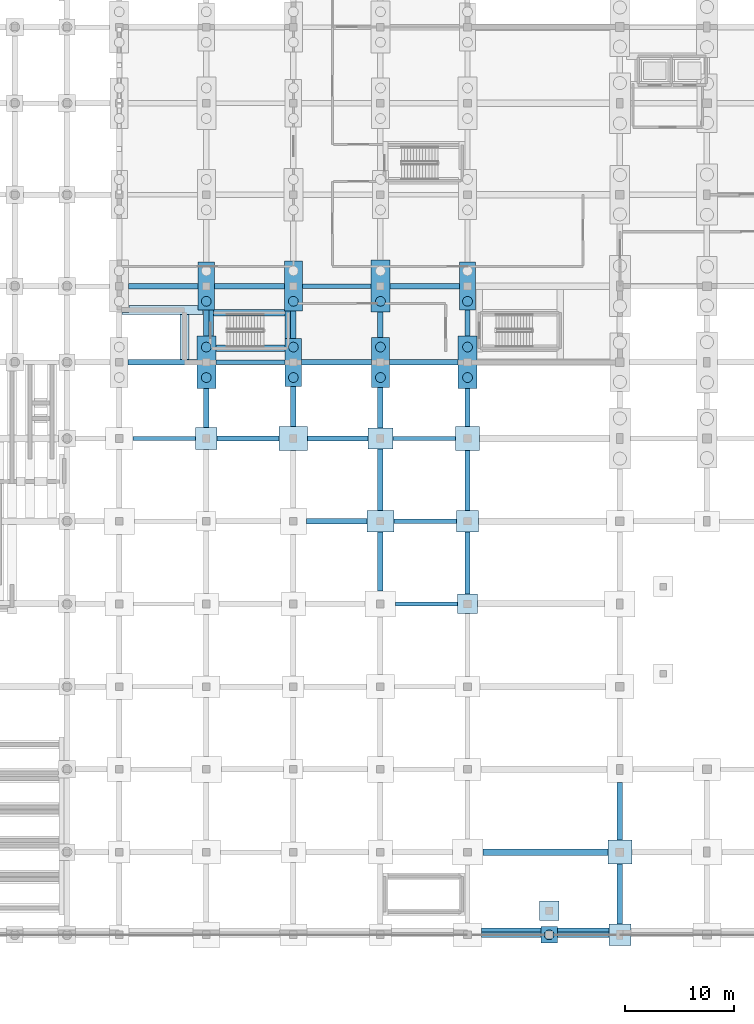
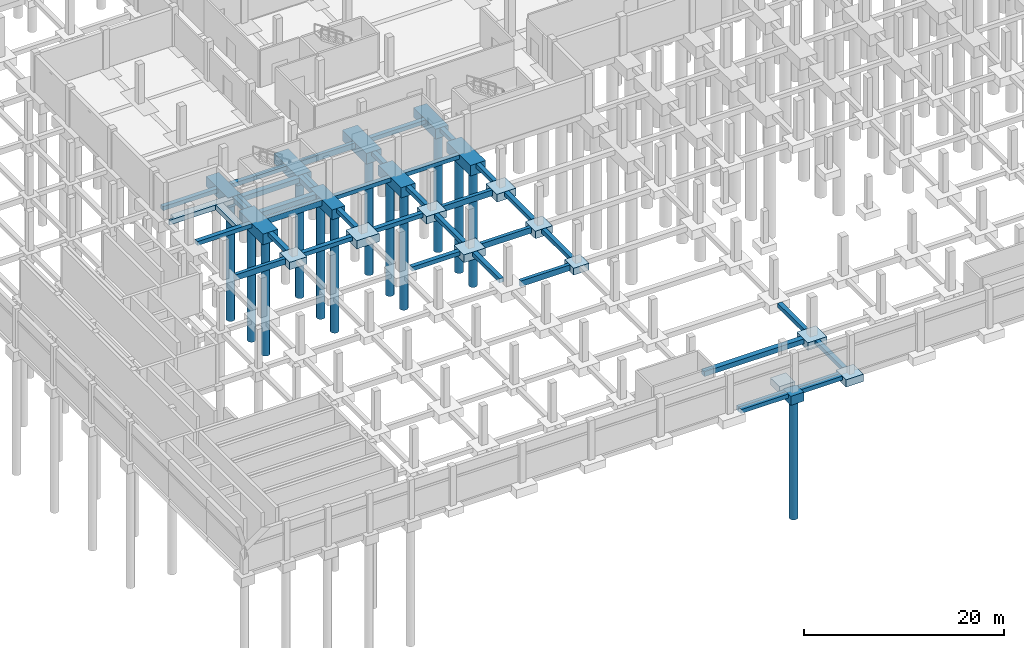
# One storey, part 5 of 50: 59 footings, 13 piles.
"""IFC4 building model written with IfcOpenShell, lengths in metres."""

from ifc_helpers import new_model, si_unit, direction, frame, origin, origin_2d, place, context, subcontext, project, spatial, polyline, rectangle, circle, outline, extrude, material, material_profile, profile_set, type_object, element, save


model = new_model("IFC4")

# Units and contexts
model_context = context("Model", 3, precision=1e-05, world=origin(), true_north=direction((0.0, 1.0)))
body_context = subcontext(model_context, "Body", "Model", "MODEL_VIEW")
ifc_project = project(units=[si_unit("LENGTHUNIT", "METRE"), si_unit("AREAUNIT", "SQUARE_METRE"), si_unit("VOLUMEUNIT", "CUBIC_METRE"), si_unit("PLANEANGLEUNIT", "RADIAN"), si_unit("MASSUNIT", "GRAM", prefix="KILO")], contexts=[model_context])

# Site, building, storey
site_placement = place(None, origin())
site = spatial("IfcSite", under=ifc_project, at=site_placement, CompositionType="ELEMENT")
building_placement = place(site_placement, origin())
building = spatial("IfcBuilding", under=site, at=building_placement, Name="Vekula Escarpment Museum", CompositionType="ELEMENT")
storey_placement = place(building_placement, frame((0.0, 0.0, -4.800048828125)))
storey = spatial("IfcBuildingStorey", under=building, at=storey_placement, Name="B1", CompositionType="ELEMENT", Elevation=-4.800048828125)

# Footings
ifc_material_1 = material(Name="Concrete C35/45", Category="concrete")
footing_type_1 = type_object("IfcFootingType", Name="FB-STRIP-600", PredefinedType="STRIP_FOOTING", material=ifc_material_1)
footing_1_placement = place(storey_placement, frame((0.0, 0.0, -0.599853515625)))
element("IfcFooting", 1, at=footing_1_placement, inside=storey, type_object=footing_type_1, Name="Plinth Wall Strip Footing 0057", PredefinedType="STRIP_FOOTING", context=body_context, shape_type="SweptSolid", body=[
    extrude(outline(polyline([(31.68603515625, 56.97998046875), (24.25390625, 56.97998046875), (24.25390625, 57.196044921875), (24.87890625, 57.196044921875), (24.87890625, 57.820068359375), (31.24609375, 57.820068359375), (31.24609375, 57.39599609375), (31.68603515625, 57.39599609375), (31.68603515625, 56.97998046875)])), origin(), (0.0, 0.0, 1.0), 0.599853515625),
])
footing_2_placement = place(storey_placement, frame((0.0, 0.0, -0.599853515625)))
element("IfcFooting", 2, at=footing_2_placement, inside=storey, type_object=footing_type_1, Name="Plinth Wall Strip Footing 0058", PredefinedType="STRIP_FOOTING", context=body_context, shape_type="SweptSolid", body=[
    extrude(outline(polyline([(30.419921875, 52.85400390625), (29.580078125, 52.85400390625), (29.580078125, 56.97607421875), (30.419921875, 56.97607421875), (30.419921875, 52.85400390625)])), origin(), (0.0, 0.0, 1.0), 0.599853515625),
])
footing_3_placement = place(storey_placement, frame((0.0, 0.0, -0.599853515625)))
element("IfcFooting", 3, at=footing_3_placement, inside=storey, type_object=footing_type_1, Name="Plinth Wall Strip Footing 0068", PredefinedType="STRIP_FOOTING", context=body_context, shape_type="SweptSolid", body=[
    extrude(outline(polyline([(68.99609375, 0.64501953125), (68.99609375, 0.25390625), (64.25390625, 0.25390625), (64.25390625, 0.64501953125), (68.99609375, 0.64501953125)])), origin(), (0.0, 0.0, 1.0), 0.599853515625),
])
footing_4_placement = place(storey_placement, frame((0.0, 0.0, -0.599853515625)))
element("IfcFooting", 4, at=footing_4_placement, inside=storey, type_object=footing_type_1, Name="Plinth Wall Strip Footing 0068", PredefinedType="STRIP_FOOTING", context=body_context, shape_type="SweptSolid", body=[
    extrude(outline(polyline([(62.74609375, 0.64501953125), (62.74609375, 0.25390625), (57.303955078125, 0.25390625), (57.303955078125, 0.64501953125), (62.74609375, 0.64501953125)])), origin(), (0.0, 0.0, 1.0), 0.599853515625),
])
footing_5_placement = place(storey_placement, frame((0.0, 0.0, -0.599853515625)))
element("IfcFooting", 5, at=footing_5_placement, inside=storey, type_object=footing_type_1, Name="Stair Core Strip Footing ST-04 W", PredefinedType="STRIP_FOOTING", context=body_context, shape_type="SweptSolid", body=[
    extrude(outline(polyline([(32.675048828125, 55.00390625), (32.25390625, 55.00390625), (32.25390625, 57.39599609375), (32.675048828125, 57.39599609375), (32.675048828125, 55.00390625)])), origin(), (0.0, 0.0, 1.0), 0.599853515625),
])
footing_6_placement = place(storey_placement, frame((0.0, 0.0, -0.599853515625)))
element("IfcFooting", 6, at=footing_6_placement, inside=storey, type_object=footing_type_1, Name="Stair Core Strip Footing ST-04 E", PredefinedType="STRIP_FOOTING", context=body_context, shape_type="SweptSolid", body=[
    extrude(outline(polyline([(39.22509765625, 53.554931640625), (39.22509765625, 57.2958984375), (39.74609375, 57.2958984375), (39.74609375, 54.803955078125), (39.24609375, 54.803955078125), (39.24609375, 53.554931640625), (39.22509765625, 53.554931640625)])), origin(), (0.0, 0.0, 1.0), 0.599853515625),
])
footing_7_placement = place(storey_placement, frame((0.0, 0.0, -0.599853515625)))
element("IfcFooting", 7, at=footing_7_placement, inside=storey, type_object=footing_type_1, Name="Stair Core Strip Footing ST-04 S", PredefinedType="STRIP_FOOTING", context=body_context, shape_type="SweptSolid", body=[
    extrude(outline(polyline([(32.87890625, 53.574951171875), (32.87890625, 54.175048828125), (39.220947265625, 54.175048828125), (39.220947265625, 53.574951171875), (32.87890625, 53.574951171875)])), origin(), (0.0, 0.0, 1.0), 0.599853515625),
])
footing_8_placement = place(storey_placement, frame((0.0, 0.0, -0.599853515625)))
element("IfcFooting", 8, at=footing_8_placement, inside=storey, type_object=footing_type_1, Name="Stair Core Strip Footing ST-04 N", PredefinedType="STRIP_FOOTING", context=body_context, shape_type="SweptSolid", body=[
    extrude(outline(polyline([(32.678955078125, 56.864990234375), (32.678955078125, 57.39599609375), (32.75390625, 57.39599609375), (32.75390625, 57.465087890625), (39.1708984375, 57.465087890625), (39.1708984375, 57.2958984375), (39.220947265625, 57.2958984375), (39.220947265625, 56.864990234375), (32.678955078125, 56.864990234375)])), origin(), (0.0, 0.0, 1.0), 0.599853515625),
])
ifc_material_2 = material(Name="Concrete C35/45", Category="concrete")
ifc_material_profile_1 = material_profile(ifc_material_2, rectangle(XDim=0.39990234375, YDim=0.699951171875, at=origin_2d()), Name="RC 400x700")
ifc_profile_set_1 = profile_set([ifc_material_profile_1], Name="Concrete C35/45")
footing_type_2 = type_object("IfcFootingType", Name="FB-TIE-400x700", PredefinedType="FOOTING_BEAM", material=ifc_profile_set_1)
footing_9_placement = place(storey_placement, frame((49.39990234375, 30.39990234375, -0.349853515625), z_axis=(1.0, 0.0, 0.0), x_axis=(0.0, 1.0, 0.0)))
element("IfcFooting", 9, at=footing_9_placement, inside=storey, type_object=footing_type_2, Name="Foundation Tie Beam 087", PredefinedType="FOOTING_BEAM", context=body_context, shape_type="SweptSolid", body=[
    extrude(rectangle(XDim=0.39990234375, YDim=0.699951171875, at=origin_2d()), origin(), (0.0, 0.0, 1.0), 5.7001953125),
])
for number, where, z_axis, x_axis, name in (
    (10, (49.25, 38.0, -0.349853515625), (1.0, 0.0, 0.0), (0.0, 1.0, 0.0), "Foundation Tie Beam 105"),
    (11, (25.25, 45.60009765625, -0.349853515625), (1.0, 0.0, 0.0), (0.0, 1.0, 0.0), "Foundation Tie Beam 123"),
    (12, (49.14990234375, 45.60009765625, -0.349853515625), (1.0, 0.0, 0.0), (0.0, 1.0, 0.0), "Foundation Tie Beam 126"),
):
    element("IfcFooting", number, at=place(storey_placement, frame(where, z_axis=z_axis, x_axis=x_axis)), inside=storey, type_object=footing_type_2, Name=name, PredefinedType="FOOTING_BEAM", context=body_context, shape_type="SweptSolid", body=[
        extrude(rectangle(XDim=0.39990234375, YDim=0.699951171875, at=origin_2d()), origin(), (0.0, 0.0, 1.0), 5.75),
    ])
footing_10_placement = place(storey_placement, frame((32.875, 52.60009765625, -0.349853515625), z_axis=(1.0, 0.0, 0.0), x_axis=(0.0, 1.0, 0.0)))
element("IfcFooting", 13, at=footing_10_placement, inside=storey, type_object=footing_type_2, Name="Foundation Tie Beam 147", PredefinedType="FOOTING_BEAM", context=body_context, shape_type="SweptSolid", body=[
    extrude(rectangle(XDim=0.39990234375, YDim=0.699951171875, at=origin_2d()), origin(), (0.0, 0.0, 1.0), 6.375),
])
footing_11_placement = place(storey_placement, frame((40.824951171875, 59.60009765625, -0.349853515625), z_axis=(1.0, 0.0, 0.0), x_axis=(0.0, 1.0, 0.0)))
element("IfcFooting", 14, at=footing_11_placement, inside=storey, type_object=footing_type_2, Name="Foundation Tie Beam 171", PredefinedType="FOOTING_BEAM", context=body_context, shape_type="SweptSolid", body=[
    extrude(rectangle(XDim=0.39990234375, YDim=0.699951171875, at=origin_2d()), origin(), (0.0, 0.0, 1.0), 6.300048828125),
])
ifc_material_3 = material(Name="Concrete C35/45", Category="concrete")
ifc_material_profile_2 = material_profile(ifc_material_3, rectangle(XDim=0.5, YDim=0.5, at=origin_2d()), Name="RC 500x500")
ifc_profile_set_2 = profile_set([ifc_material_profile_2], Name="Concrete C35/45")
footing_type_3 = type_object("IfcFootingType", Name="FB-TIE-500x500", PredefinedType="FOOTING_BEAM", material=ifc_profile_set_2)
footing_12_placement = place(storey_placement, frame((57.300048828125, 0.0, -0.25), z_axis=(1.0, 0.0, 0.0), x_axis=(0.0, 1.0, 0.0)))
element("IfcFooting", 15, at=footing_12_placement, inside=storey, type_object=footing_type_3, Name="Foundation Tie Beam 010", PredefinedType="FOOTING_BEAM", context=body_context, shape_type="SweptSolid", body=[
    extrude(rectangle(XDim=0.5, YDim=0.5, at=origin_2d()), origin(), (0.0, 0.0, 1.0), 5.449951171875),
])
footing_13_placement = place(storey_placement, frame((64.25, 0.0, -0.25), z_axis=(1.0, 0.0, 0.0), x_axis=(0.0, 1.0, 0.0)))
element("IfcFooting", 16, at=footing_13_placement, inside=storey, type_object=footing_type_3, Name="Foundation Tie Beam 011", PredefinedType="FOOTING_BEAM", context=body_context, shape_type="SweptSolid", body=[
    extrude(rectangle(XDim=0.5, YDim=0.5, at=origin_2d()), origin(), (0.0, 0.0, 1.0), 4.75),
])
footing_14_placement = place(storey_placement, frame((41.199951171875, 38.0, -0.25), z_axis=(1.0, 0.0, 0.0), x_axis=(0.0, 1.0, 0.0)))
element("IfcFooting", 17, at=footing_14_placement, inside=storey, type_object=footing_type_3, Name="Foundation Tie Beam 104", PredefinedType="FOOTING_BEAM", context=body_context, shape_type="SweptSolid", body=[
    extrude(rectangle(XDim=0.5, YDim=0.5, at=origin_2d()), origin(), (0.0, 0.0, 1.0), 5.550048828125),
])
footing_15_placement = place(storey_placement, frame((33.0, 45.60009765625, -0.25), z_axis=(1.0, 0.0, 0.0), x_axis=(0.0, 1.0, 0.0)))
element("IfcFooting", 18, at=footing_15_placement, inside=storey, type_object=footing_type_3, Name="Foundation Tie Beam 124", PredefinedType="FOOTING_BEAM", context=body_context, shape_type="SweptSolid", body=[
    extrude(rectangle(XDim=0.5, YDim=0.5, at=origin_2d()), origin(), (0.0, 0.0, 1.0), 5.699951171875),
])
footing_16_placement = place(storey_placement, frame((41.300048828125, 45.60009765625, -0.25), z_axis=(1.0, 0.0, 0.0), x_axis=(0.0, 1.0, 0.0)))
element("IfcFooting", 19, at=footing_16_placement, inside=storey, type_object=footing_type_3, Name="Foundation Tie Beam 125", PredefinedType="FOOTING_BEAM", context=body_context, shape_type="SweptSolid", body=[
    extrude(rectangle(XDim=0.5, YDim=0.5, at=origin_2d()), origin(), (0.0, 0.0, 1.0), 5.550048828125),
])
footing_17_placement = place(storey_placement, frame((24.824951171875, 52.60009765625, -0.25), z_axis=(1.0, 0.0, 0.0), x_axis=(0.0, 1.0, 0.0)))
element("IfcFooting", 20, at=footing_17_placement, inside=storey, type_object=footing_type_3, Name="Foundation Tie Beam 146", PredefinedType="FOOTING_BEAM", context=body_context, shape_type="SweptSolid", body=[
    extrude(rectangle(XDim=0.5, YDim=0.5, at=origin_2d()), origin(), (0.0, 0.0, 1.0), 6.300048828125),
])
footing_18_placement = place(storey_placement, frame((40.75, 52.60009765625, -0.25), z_axis=(1.0, 0.0, 0.0), x_axis=(0.0, 1.0, 0.0)))
element("IfcFooting", 21, at=footing_18_placement, inside=storey, type_object=footing_type_3, Name="Foundation Tie Beam 148", PredefinedType="FOOTING_BEAM", context=body_context, shape_type="SweptSolid", body=[
    extrude(rectangle(XDim=0.5, YDim=0.5, at=origin_2d()), origin(), (0.0, 0.0, 1.0), 6.425048828125),
])
footing_19_placement = place(storey_placement, frame((48.824951171875, 52.60009765625, -0.25), z_axis=(1.0, 0.0, 0.0), x_axis=(0.0, 1.0, 0.0)))
element("IfcFooting", 22, at=footing_19_placement, inside=storey, type_object=footing_type_3, Name="Foundation Tie Beam 149", PredefinedType="FOOTING_BEAM", context=body_context, shape_type="SweptSolid", body=[
    extrude(rectangle(XDim=0.5, YDim=0.5, at=origin_2d()), origin(), (0.0, 0.0, 1.0), 6.300048828125),
])
footing_20_placement = place(storey_placement, frame((24.875, 59.60009765625, -0.25), z_axis=(1.0, 0.0, 0.0), x_axis=(0.0, 1.0, 0.0)))
element("IfcFooting", 23, at=footing_20_placement, inside=storey, type_object=footing_type_3, Name="Foundation Tie Beam 169", PredefinedType="FOOTING_BEAM", context=body_context, shape_type="SweptSolid", body=[
    extrude(rectangle(XDim=0.5, YDim=0.5, at=origin_2d()), origin(), (0.0, 0.0, 1.0), 6.375),
])
footing_21_placement = place(storey_placement, frame((32.75, 59.60009765625, -0.25), z_axis=(1.0, 0.0, 0.0), x_axis=(0.0, 1.0, 0.0)))
element("IfcFooting", 24, at=footing_21_placement, inside=storey, type_object=footing_type_3, Name="Foundation Tie Beam 170", PredefinedType="FOOTING_BEAM", context=body_context, shape_type="SweptSolid", body=[
    extrude(rectangle(XDim=0.5, YDim=0.5, at=origin_2d()), origin(), (0.0, 0.0, 1.0), 6.425048828125),
])
footing_22_placement = place(storey_placement, frame((48.875, 59.60009765625, -0.25), z_axis=(1.0, 0.0, 0.0), x_axis=(0.0, 1.0, 0.0)))
element("IfcFooting", 25, at=footing_22_placement, inside=storey, type_object=footing_type_3, Name="Foundation Tie Beam 172", PredefinedType="FOOTING_BEAM", context=body_context, shape_type="SweptSolid", body=[
    extrude(rectangle(XDim=0.5, YDim=0.5, at=origin_2d()), origin(), (0.0, 0.0, 1.0), 6.375),
])
footing_23_placement = place(storey_placement, frame((32.0, 46.60009765625, -0.25), z_axis=(0.0, 1.0, 0.0), x_axis=(-1.0, 0.0, 0.0)))
element("IfcFooting", 26, at=footing_23_placement, inside=storey, type_object=footing_type_3, Name="Foundation Tie Beam 484", PredefinedType="FOOTING_BEAM", context=body_context, shape_type="SweptSolid", body=[
    extrude(rectangle(XDim=0.5, YDim=0.5, at=origin_2d()), origin(), (0.0, 0.0, 1.0), 3.599853515625),
])
footing_24_placement = place(storey_placement, frame((32.0, 55.0, -0.25), z_axis=(0.0, 1.0, 0.0), x_axis=(-1.0, 0.0, 0.0)))
element("IfcFooting", 27, at=footing_24_placement, inside=storey, type_object=footing_type_3, Name="Foundation Tie Beam 485", PredefinedType="FOOTING_BEAM", context=body_context, shape_type="SweptSolid", body=[
    extrude(rectangle(XDim=0.5, YDim=0.5, at=origin_2d()), origin(), (0.0, 0.0, 1.0), 2.39990234375),
])
footing_25_placement = place(storey_placement, frame((40.0, 46.699951171875, -0.25), z_axis=(0.0, 1.0, 0.0), x_axis=(-1.0, 0.0, 0.0)))
element("IfcFooting", 28, at=footing_25_placement, inside=storey, type_object=footing_type_3, Name="Foundation Tie Beam 502", PredefinedType="FOOTING_BEAM", context=body_context, shape_type="SweptSolid", body=[
    extrude(rectangle(XDim=0.5, YDim=0.5, at=origin_2d()), origin(), (0.0, 0.0, 1.0), 3.699951171875),
])
footing_26_placement = place(storey_placement, frame((40.0, 54.800048828125, -0.25), z_axis=(0.0, 1.0, 0.0), x_axis=(-1.0, 0.0, 0.0)))
element("IfcFooting", 29, at=footing_26_placement, inside=storey, type_object=footing_type_3, Name="Foundation Tie Beam 503", PredefinedType="FOOTING_BEAM", context=body_context, shape_type="SweptSolid", body=[
    extrude(rectangle(XDim=0.5, YDim=0.5, at=origin_2d()), origin(), (0.0, 0.0, 1.0), 2.5),
])
footing_27_placement = place(storey_placement, frame((48.0, 31.60009765625, -0.25), z_axis=(0.0, 1.0, 0.0), x_axis=(-1.0, 0.0, 0.0)))
element("IfcFooting", 30, at=footing_27_placement, inside=storey, type_object=footing_type_3, Name="Foundation Tie Beam 518", PredefinedType="FOOTING_BEAM", context=body_context, shape_type="SweptSolid", body=[
    extrude(rectangle(XDim=0.5, YDim=0.5, at=origin_2d()), origin(), (0.0, 0.0, 1.0), 5.39990234375),
])
footing_28_placement = place(storey_placement, frame((48.0, 39.0, -0.25), z_axis=(0.0, 1.0, 0.0), x_axis=(-1.0, 0.0, 0.0)))
element("IfcFooting", 31, at=footing_28_placement, inside=storey, type_object=footing_type_3, Name="Foundation Tie Beam 519", PredefinedType="FOOTING_BEAM", context=body_context, shape_type="SweptSolid", body=[
    extrude(rectangle(XDim=0.5, YDim=0.5, at=origin_2d()), origin(), (0.0, 0.0, 1.0), 5.64990234375),
])
footing_29_placement = place(storey_placement, frame((48.0, 46.550048828125, -0.25), z_axis=(0.0, 1.0, 0.0), x_axis=(-1.0, 0.0, 0.0)))
element("IfcFooting", 32, at=footing_29_placement, inside=storey, type_object=footing_type_3, Name="Foundation Tie Beam 520", PredefinedType="FOOTING_BEAM", context=body_context, shape_type="SweptSolid", body=[
    extrude(rectangle(XDim=0.5, YDim=0.5, at=origin_2d()), origin(), (0.0, 0.0, 1.0), 3.75),
])
footing_30_placement = place(storey_placement, frame((48.0, 54.89990234375, -0.25), z_axis=(0.0, 1.0, 0.0), x_axis=(-1.0, 0.0, 0.0)))
element("IfcFooting", 33, at=footing_30_placement, inside=storey, type_object=footing_type_3, Name="Foundation Tie Beam 521", PredefinedType="FOOTING_BEAM", context=body_context, shape_type="SweptSolid", body=[
    extrude(rectangle(XDim=0.5, YDim=0.5, at=origin_2d()), origin(), (0.0, 0.0, 1.0), 2.300048828125),
])
footing_31_placement = place(storey_placement, frame((56.0, 31.300048828125, -0.25), z_axis=(0.0, 1.0, 0.0), x_axis=(-1.0, 0.0, 0.0)))
element("IfcFooting", 34, at=footing_31_placement, inside=storey, type_object=footing_type_3, Name="Foundation Tie Beam 536", PredefinedType="FOOTING_BEAM", context=body_context, shape_type="SweptSolid", body=[
    extrude(rectangle(XDim=0.5, YDim=0.5, at=origin_2d()), origin(), (0.0, 0.0, 1.0), 5.699951171875),
])
footing_32_placement = place(storey_placement, frame((56.0, 39.0, -0.25), z_axis=(0.0, 1.0, 0.0), x_axis=(-1.0, 0.0, 0.0)))
element("IfcFooting", 35, at=footing_32_placement, inside=storey, type_object=footing_type_3, Name="Foundation Tie Beam 537", PredefinedType="FOOTING_BEAM", context=body_context, shape_type="SweptSolid", body=[
    extrude(rectangle(XDim=0.5, YDim=0.5, at=origin_2d()), origin(), (0.0, 0.0, 1.0), 5.5),
])
footing_33_placement = place(storey_placement, frame((56.0, 46.699951171875, -0.25), z_axis=(0.0, 1.0, 0.0), x_axis=(-1.0, 0.0, 0.0)))
element("IfcFooting", 36, at=footing_33_placement, inside=storey, type_object=footing_type_3, Name="Foundation Tie Beam 538", PredefinedType="FOOTING_BEAM", context=body_context, shape_type="SweptSolid", body=[
    extrude(rectangle(XDim=0.5, YDim=0.5, at=origin_2d()), origin(), (0.0, 0.0, 1.0), 3.5),
])
footing_34_placement = place(storey_placement, frame((56.0, 55.0, -0.25), z_axis=(0.0, 1.0, 0.0), x_axis=(-1.0, 0.0, 0.0)))
element("IfcFooting", 37, at=footing_34_placement, inside=storey, type_object=footing_type_3, Name="Foundation Tie Beam 539", PredefinedType="FOOTING_BEAM", context=body_context, shape_type="SweptSolid", body=[
    extrude(rectangle(XDim=0.5, YDim=0.5, at=origin_2d()), origin(), (0.0, 0.0, 1.0), 2.39990234375),
])
footing_35_placement = place(storey_placement, frame((70.0, 1.0, -0.25), z_axis=(0.0, 1.0, 0.0), x_axis=(-1.0, 0.0, 0.0)))
element("IfcFooting", 38, at=footing_35_placement, inside=storey, type_object=footing_type_3, Name="Foundation Tie Beam 550", PredefinedType="FOOTING_BEAM", context=body_context, shape_type="SweptSolid", body=[
    extrude(rectangle(XDim=0.5, YDim=0.5, at=origin_2d()), origin(), (0.0, 0.0, 1.0), 5.5),
])
footing_36_placement = place(storey_placement, frame((70.0, 8.699951171875, -0.25), z_axis=(0.0, 1.0, 0.0), x_axis=(-1.0, 0.0, 0.0)))
element("IfcFooting", 39, at=footing_36_placement, inside=storey, type_object=footing_type_3, Name="Foundation Tie Beam 551", PredefinedType="FOOTING_BEAM", context=body_context, shape_type="SweptSolid", body=[
    extrude(rectangle(XDim=0.5, YDim=0.5, at=origin_2d()), origin(), (0.0, 0.0, 1.0), 5.300048828125),
])
ifc_material_4 = material(Name="Concrete C35/45", Category="concrete")
ifc_material_profile_3 = material_profile(ifc_material_4, rectangle(XDim=0.60009765625, YDim=0.60009765625, at=origin_2d()), Name="RC 600x600")
ifc_profile_set_3 = profile_set([ifc_material_profile_3], Name="Concrete C35/45")
footing_type_4 = type_object("IfcFootingType", Name="FB-TIE-600x600", PredefinedType="FOOTING_BEAM", material=ifc_profile_set_3)
footing_37_placement = place(storey_placement, frame((57.39990234375, 7.60009765625, -0.300048828125), z_axis=(1.0, 0.0, 0.0), x_axis=(0.0, 1.0, 0.0)))
element("IfcFooting", 40, at=footing_37_placement, inside=storey, type_object=footing_type_4, Name="Foundation Tie Beam 030", PredefinedType="FOOTING_BEAM", context=body_context, shape_type="SweptSolid", body=[
    extrude(rectangle(XDim=0.60009765625, YDim=0.60009765625, at=origin_2d()), origin(), (0.0, 0.0, 1.0), 11.5),
])
ifc_material_5 = material(Name="Concrete C35/45", Category="concrete")
footing_type_5 = type_object("IfcFootingType", Name="FC-PAD1", PredefinedType="PAD_FOOTING", material=ifc_material_5)
footing_38_placement = place(storey_placement, frame((0.0, 0.0, -0.849853515625)))
element("IfcFooting", 41, at=footing_38_placement, inside=storey, type_object=footing_type_5, Name="Foundation FC-PAD1 (56.0,30.4)", PredefinedType="PAD_FOOTING", context=body_context, shape_type="SweptSolid", body=[
    extrude(outline(polyline([(55.10009765625, 29.5), (56.89990234375, 29.5), (56.89990234375, 31.300048828125), (55.10009765625, 31.300048828125), (55.10009765625, 29.5)])), origin(), (0.0, 0.0, 1.0), 0.849853515625),
])
footing_39_placement = place(storey_placement, frame((0.0, 0.0, -0.849853515625)))
element("IfcFooting", 42, at=footing_39_placement, inside=storey, type_object=footing_type_5, Name="Foundation FC-PAD1 (63.5,2.2)", PredefinedType="PAD_FOOTING", context=body_context, shape_type="SweptSolid", body=[
    extrude(outline(polyline([(62.60009765625, 1.300048828125), (64.39990234375, 1.300048828125), (64.39990234375, 3.10009765625), (62.60009765625, 3.10009765625), (62.60009765625, 1.300048828125)])), origin(), (0.0, 0.0, 1.0), 0.849853515625),
])
ifc_material_6 = material(Name="Concrete C35/45", Category="concrete")
footing_type_6 = type_object("IfcFootingType", Name="FC-PAD2", PredefinedType="PAD_FOOTING", material=ifc_material_6)
footing_40_placement = place(storey_placement, frame((0.0, 0.0, -0.89990234375)))
element("IfcFooting", 43, at=footing_40_placement, inside=storey, type_object=footing_type_6, Name="Foundation FC-PAD2 (32.0,45.6)", PredefinedType="PAD_FOOTING", context=body_context, shape_type="SweptSolid", body=[
    extrude(outline(polyline([(31.0, 44.60009765625), (33.0, 44.60009765625), (33.0, 46.60009765625), (31.0, 46.60009765625), (31.0, 44.60009765625)])), origin(), (0.0, 0.0, 1.0), 0.89990234375),
])
footing_41_placement = place(storey_placement, frame((0.0, 0.0, -0.89990234375)))
element("IfcFooting", 44, at=footing_41_placement, inside=storey, type_object=footing_type_6, Name="Foundation FC-PAD2 (56.0,38.0)", PredefinedType="PAD_FOOTING", context=body_context, shape_type="SweptSolid", body=[
    extrude(outline(polyline([(55.0, 37.0), (57.0, 37.0), (57.0, 39.0), (55.0, 39.0), (55.0, 37.0)])), origin(), (0.0, 0.0, 1.0), 0.89990234375),
])
footing_42_placement = place(storey_placement, frame((0.0, 0.0, -0.89990234375)))
element("IfcFooting", 45, at=footing_42_placement, inside=storey, type_object=footing_type_6, Name="Foundation FC-PAD2 (70.0,0.0)", PredefinedType="PAD_FOOTING", context=body_context, shape_type="SweptSolid", body=[
    extrude(outline(polyline([(69.0, -1.0), (71.0, -1.0), (71.0, 1.0), (69.0, 1.0), (69.0, -1.0)])), origin(), (0.0, 0.0, 1.0), 0.89990234375),
])
ifc_material_7 = material(Name="Concrete C35/45", Category="concrete")
footing_type_7 = type_object("IfcFootingType", Name="FC-PAD3", PredefinedType="PAD_FOOTING", material=ifc_material_7)
footing_43_placement = place(storey_placement, frame((0.0, 0.0, -0.949951171875)))
element("IfcFooting", 46, at=footing_43_placement, inside=storey, type_object=footing_type_7, Name="Foundation FC-PAD3 (56.0,45.6)", PredefinedType="PAD_FOOTING", context=body_context, shape_type="SweptSolid", body=[
    extrude(outline(polyline([(54.89990234375, 44.5), (57.10009765625, 44.5), (57.10009765625, 46.699951171875), (54.89990234375, 46.699951171875), (54.89990234375, 44.5)])), origin(), (0.0, 0.0, 1.0), 0.949951171875),
])
footing_44_placement = place(storey_placement, frame((0.0, 0.0, -0.949951171875)))
element("IfcFooting", 47, at=footing_44_placement, inside=storey, type_object=footing_type_7, Name="Foundation FC-PAD3 (70.0,7.6)", PredefinedType="PAD_FOOTING", context=body_context, shape_type="SweptSolid", body=[
    extrude(outline(polyline([(68.89990234375, 6.5), (71.10009765625, 6.5), (71.10009765625, 8.699951171875), (68.89990234375, 8.699951171875), (68.89990234375, 6.5)])), origin(), (0.0, 0.0, 1.0), 0.949951171875),
])
ifc_material_8 = material(Name="Concrete C35/45", Category="concrete")
footing_type_8 = type_object("IfcFootingType", Name="FC-PAD5", PredefinedType="PAD_FOOTING", material=ifc_material_8)
footing_45_placement = place(storey_placement, frame((0.0, 0.0, -1.0)))
element("IfcFooting", 48, at=footing_45_placement, inside=storey, type_object=footing_type_8, Name="Foundation FC-PAD5 (40.0,45.6)", PredefinedType="PAD_FOOTING", context=body_context, shape_type="SweptSolid", body=[
    extrude(outline(polyline([(38.699951171875, 44.5), (41.300048828125, 44.5), (41.300048828125, 46.699951171875), (38.699951171875, 46.699951171875), (38.699951171875, 44.5)])), origin(), (0.0, 0.0, 1.0), 1.0),
])
ifc_material_9 = material(Name="Concrete C35/45", Category="concrete")
footing_type_9 = type_object("IfcFootingType", Name="FC-PAD7", PredefinedType="PAD_FOOTING", material=ifc_material_9)
footing_46_placement = place(storey_placement, frame((0.0, 0.0, -0.949951171875)))
element("IfcFooting", 49, at=footing_46_placement, inside=storey, type_object=footing_type_9, Name="Foundation FC-PAD7 (48.0,38.0)", PredefinedType="PAD_FOOTING", context=body_context, shape_type="SweptSolid", body=[
    extrude(outline(polyline([(46.75, 37.0), (49.25, 37.0), (49.25, 39.0), (46.75, 39.0), (46.75, 37.0)])), origin(), (0.0, 0.0, 1.0), 0.949951171875),
])
ifc_material_10 = material(Name="Concrete C35/45", Category="concrete")
footing_type_10 = type_object("IfcFootingType", Name="FC-PAD8", PredefinedType="PAD_FOOTING", material=ifc_material_10)
footing_47_placement = place(storey_placement, frame((0.0, 0.0, -0.89990234375)))
element("IfcFooting", 50, at=footing_47_placement, inside=storey, type_object=footing_type_10, Name="Foundation FC-PAD8 (48.0,45.6)", PredefinedType="PAD_FOOTING", context=body_context, shape_type="SweptSolid", body=[
    extrude(outline(polyline([(46.85009765625, 44.64990234375), (49.14990234375, 44.64990234375), (49.14990234375, 46.550048828125), (46.85009765625, 46.550048828125), (46.85009765625, 44.64990234375)])), origin(), (0.0, 0.0, 1.0), 0.89990234375),
])
ifc_material_11 = material(Name="Concrete C35/45", Category="concrete")
footing_type_11 = type_object("IfcFootingType", Name="FC-PC1A", PredefinedType="PILE_CAP", material=ifc_material_11)
footing_48_placement = place(storey_placement, frame((0.0, 0.0, -1.099853515625)))
element("IfcFooting", 51, at=footing_48_placement, inside=storey, type_object=footing_type_11, Name="Foundation FC-PC1A (63.5,0.0)", PredefinedType="PILE_CAP", context=body_context, shape_type="SweptSolid", body=[
    extrude(outline(polyline([(62.75, -0.75), (64.25, -0.75), (64.25, 0.75), (62.75, 0.75), (62.75, -0.75)])), origin(), (0.0, 0.0, 1.0), 1.099853515625),
])
ifc_material_12 = material(Name="Concrete C35/45", Category="concrete")
footing_type_12 = type_object("IfcFootingType", Name="FC-PC2Y-A", PredefinedType="PILE_CAP", material=ifc_material_12)
footing_49_placement = place(storey_placement, frame((0.0, 0.0, -1.199951171875)))
element("IfcFooting", 52, at=footing_49_placement, inside=storey, type_object=footing_type_12, Name="Foundation FC-PC2Y-A (32.0,59.6)", PredefinedType="PILE_CAP", context=body_context, shape_type="SweptSolid", body=[
    extrude(outline(polyline([(31.25, 57.39990234375), (32.75, 57.39990234375), (32.75, 61.800048828125), (31.25, 61.800048828125), (31.25, 57.39990234375)])), origin(), (0.0, 0.0, 1.0), 1.199951171875),
])
footing_50_placement = place(storey_placement, frame((0.0, 0.0, -1.199951171875)))
element("IfcFooting", 53, at=footing_50_placement, inside=storey, type_object=footing_type_12, Name="Foundation FC-PC2Y-A (40.0,52.6)", PredefinedType="PILE_CAP", context=body_context, shape_type="SweptSolid", body=[
    extrude(outline(polyline([(39.25, 50.39990234375), (40.75, 50.39990234375), (40.75, 54.800048828125), (39.25, 54.800048828125), (39.25, 50.39990234375)])), origin(), (0.0, 0.0, 1.0), 1.199951171875),
])
footing_51_placement = place(storey_placement, frame((0.0, 0.0, -1.199951171875)))
element("IfcFooting", 54, at=footing_51_placement, inside=storey, type_object=footing_type_12, Name="Foundation FC-PC2Y-A (56.0,59.6)", PredefinedType="PILE_CAP", context=body_context, shape_type="SweptSolid", body=[
    extrude(outline(polyline([(55.25, 57.39990234375), (56.75, 57.39990234375), (56.75, 61.800048828125), (55.25, 61.800048828125), (55.25, 57.39990234375)])), origin(), (0.0, 0.0, 1.0), 1.199951171875),
])
ifc_material_13 = material(Name="Concrete C35/45", Category="concrete")
footing_type_13 = type_object("IfcFootingType", Name="FC-PC2Y-B", PredefinedType="PILE_CAP", material=ifc_material_13)
footing_52_placement = place(storey_placement, frame((0.0, 0.0, -1.25)))
element("IfcFooting", 55, at=footing_52_placement, inside=storey, type_object=footing_type_13, Name="Foundation FC-PC2Y-B (40.0,59.6)", PredefinedType="PILE_CAP", context=body_context, shape_type="SweptSolid", body=[
    extrude(outline(polyline([(39.175048828125, 57.300048828125), (40.824951171875, 57.300048828125), (40.824951171875, 61.89990234375), (39.175048828125, 61.89990234375), (39.175048828125, 57.300048828125)])), origin(), (0.0, 0.0, 1.0), 1.25),
])
footing_53_placement = place(storey_placement, frame((0.0, 0.0, -1.25)))
element("IfcFooting", 56, at=footing_53_placement, inside=storey, type_object=footing_type_13, Name="Foundation FC-PC2Y-B (48.0,52.6)", PredefinedType="PILE_CAP", context=body_context, shape_type="SweptSolid", body=[
    extrude(outline(polyline([(47.175048828125, 50.300048828125), (48.824951171875, 50.300048828125), (48.824951171875, 54.89990234375), (47.175048828125, 54.89990234375), (47.175048828125, 50.300048828125)])), origin(), (0.0, 0.0, 1.0), 1.25),
])
ifc_material_14 = material(Name="Concrete C35/45", Category="concrete")
footing_type_14 = type_object("IfcFootingType", Name="FC-PC2Y-C", PredefinedType="PILE_CAP", material=ifc_material_14)
footing_54_placement = place(storey_placement, frame((0.0, 0.0, -1.300048828125)))
element("IfcFooting", 57, at=footing_54_placement, inside=storey, type_object=footing_type_14, Name="Foundation FC-PC2Y-C (32.0,52.6)", PredefinedType="PILE_CAP", context=body_context, shape_type="SweptSolid", body=[
    extrude(outline(polyline([(31.125, 50.199951171875), (32.875, 50.199951171875), (32.875, 55.0), (31.125, 55.0), (31.125, 50.199951171875)])), origin(), (0.0, 0.0, 1.0), 1.300048828125),
])
footing_55_placement = place(storey_placement, frame((0.0, 0.0, -1.300048828125)))
element("IfcFooting", 58, at=footing_55_placement, inside=storey, type_object=footing_type_14, Name="Foundation FC-PC2Y-C (48.0,59.6)", PredefinedType="PILE_CAP", context=body_context, shape_type="SweptSolid", body=[
    extrude(outline(polyline([(47.125, 57.199951171875), (48.875, 57.199951171875), (48.875, 62.0), (47.125, 62.0), (47.125, 57.199951171875)])), origin(), (0.0, 0.0, 1.0), 1.300048828125),
])
footing_56_placement = place(storey_placement, frame((0.0, 0.0, -1.300048828125)))
element("IfcFooting", 59, at=footing_56_placement, inside=storey, type_object=footing_type_14, Name="Foundation FC-PC2Y-C (56.0,52.6)", PredefinedType="PILE_CAP", context=body_context, shape_type="SweptSolid", body=[
    extrude(outline(polyline([(55.125, 50.199951171875), (56.875, 50.199951171875), (56.875, 55.0), (55.125, 55.0), (55.125, 50.199951171875)])), origin(), (0.0, 0.0, 1.0), 1.300048828125),
])

# Piles
ifc_material_15 = material(Name="Concrete C35/45", Category="concrete")
ifc_material_profile_4 = material_profile(ifc_material_15, circle(Radius=0.449951171875, at=origin_2d()), Name="BORED PILE 900")
ifc_profile_set_4 = profile_set([ifc_material_profile_4], Name="Concrete C35/45")
pile_type = type_object("IfcPileType", Name="PILE-B900", PredefinedType="BORED", material=ifc_profile_set_4)
for number, where, z_axis, x_axis, name in (
    (60, (32.0, 51.199951171875, -1.199951171875), (0.0, 0.0, -1.0), (1.0, 0.0, 0.0), "Bored Pile (32.0,51.2)"),
    (61, (32.0, 54.0, -1.199951171875), (0.0, 0.0, -1.0), (1.0, 0.0, 0.0), "Bored Pile (32.0,54.0)"),
):
    element("IfcPile", number, at=place(storey_placement, frame(where, z_axis=z_axis, x_axis=x_axis)), inside=storey, type_object=pile_type, Name=name, PredefinedType="BORED", context=body_context, shape_type="SweptSolid", body=[
        extrude(circle(Radius=0.449951171875, at=origin_2d()), origin(), (0.0, 0.0, 1.0), 14.300048828125),
    ])
for number, where, z_axis, x_axis, name in (
    (62, (32.0, 58.199951171875, -1.099853515625), (0.0, 0.0, -1.0), (1.0, 0.0, 0.0), "Bored Pile (32.0,58.2)"),
    (63, (40.0, 51.199951171875, -1.099853515625), (0.0, 0.0, -1.0), (1.0, 0.0, 0.0), "Bored Pile (40.0,51.2)"),
    (64, (40.0, 54.0, -1.099853515625), (0.0, 0.0, -1.0), (1.0, 0.0, 0.0), "Bored Pile (40.0,54.0)"),
):
    element("IfcPile", number, at=place(storey_placement, frame(where, z_axis=z_axis, x_axis=x_axis)), inside=storey, type_object=pile_type, Name=name, PredefinedType="BORED", context=body_context, shape_type="SweptSolid", body=[
        extrude(circle(Radius=0.449951171875, at=origin_2d()), origin(), (0.0, 0.0, 1.0), 14.39990234375),
    ])
for number, where, z_axis, x_axis, name in (
    (65, (40.0, 58.199951171875, -1.14990234375), (0.0, 0.0, -1.0), (1.0, 0.0, 0.0), "Bored Pile (40.0,58.2)"),
    (66, (48.0, 51.199951171875, -1.14990234375), (0.0, 0.0, -1.0), (1.0, 0.0, 0.0), "Bored Pile (48.0,51.2)"),
    (67, (48.0, 54.0, -1.14990234375), (0.0, 0.0, -1.0), (1.0, 0.0, 0.0), "Bored Pile (48.0,54.0)"),
):
    element("IfcPile", number, at=place(storey_placement, frame(where, z_axis=z_axis, x_axis=x_axis)), inside=storey, type_object=pile_type, Name=name, PredefinedType="BORED", context=body_context, shape_type="SweptSolid", body=[
        extrude(circle(Radius=0.449951171875, at=origin_2d()), origin(), (0.0, 0.0, 1.0), 14.35009765625),
    ])
for number, where, z_axis, x_axis, name in (
    (68, (48.0, 58.199951171875, -1.199951171875), (0.0, 0.0, -1.0), (1.0, 0.0, 0.0), "Bored Pile (48.0,58.2)"),
    (69, (56.0, 51.199951171875, -1.199951171875), (0.0, 0.0, -1.0), (1.0, 0.0, 0.0), "Bored Pile (56.0,51.2)"),
    (70, (56.0, 54.0, -1.199951171875), (0.0, 0.0, -1.0), (1.0, 0.0, 0.0), "Bored Pile (56.0,54.0)"),
):
    element("IfcPile", number, at=place(storey_placement, frame(where, z_axis=z_axis, x_axis=x_axis)), inside=storey, type_object=pile_type, Name=name, PredefinedType="BORED", context=body_context, shape_type="SweptSolid", body=[
        extrude(circle(Radius=0.449951171875, at=origin_2d()), origin(), (0.0, 0.0, 1.0), 14.300048828125),
    ])
pile_1_placement = place(storey_placement, frame((56.0, 58.199951171875, -1.099853515625), z_axis=(0.0, 0.0, -1.0), x_axis=(1.0, 0.0, 0.0)))
element("IfcPile", 71, at=pile_1_placement, inside=storey, type_object=pile_type, Name="Bored Pile (56.0,58.2)", PredefinedType="BORED", context=body_context, shape_type="SweptSolid", body=[
    extrude(circle(Radius=0.449951171875, at=origin_2d()), origin(), (0.0, 0.0, 1.0), 14.39990234375),
])
pile_2_placement = place(storey_placement, frame((63.5, 0.0, -1.0), z_axis=(0.0, 0.0, -1.0), x_axis=(1.0, 0.0, 0.0)))
element("IfcPile", 72, at=pile_2_placement, inside=storey, type_object=pile_type, Name="Bored Pile (63.5,0.0)", PredefinedType="BORED", context=body_context, shape_type="SweptSolid", body=[
    extrude(circle(Radius=0.449951171875, at=origin_2d()), origin(), (0.0, 0.0, 1.0), 14.5),
])

save(model, "model.ifc")
